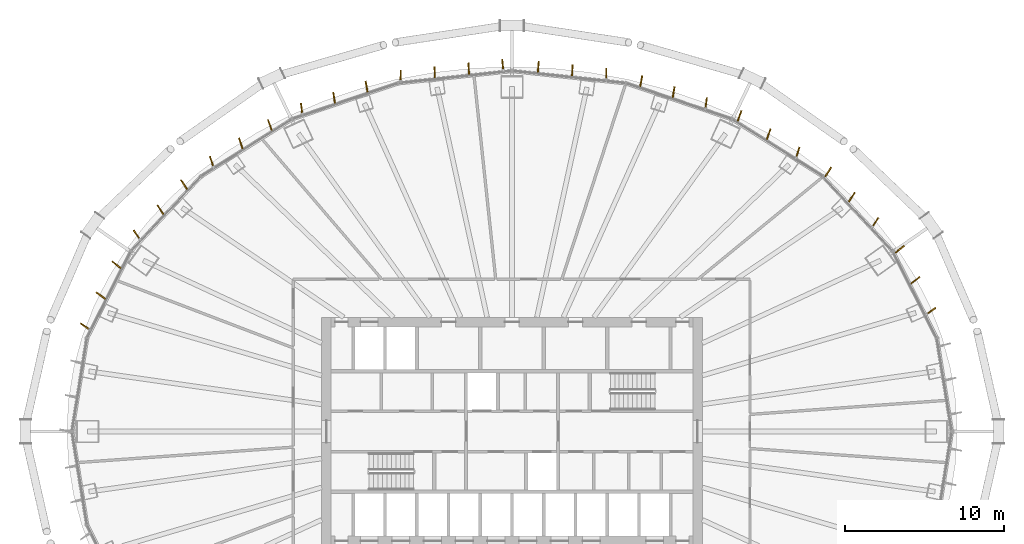
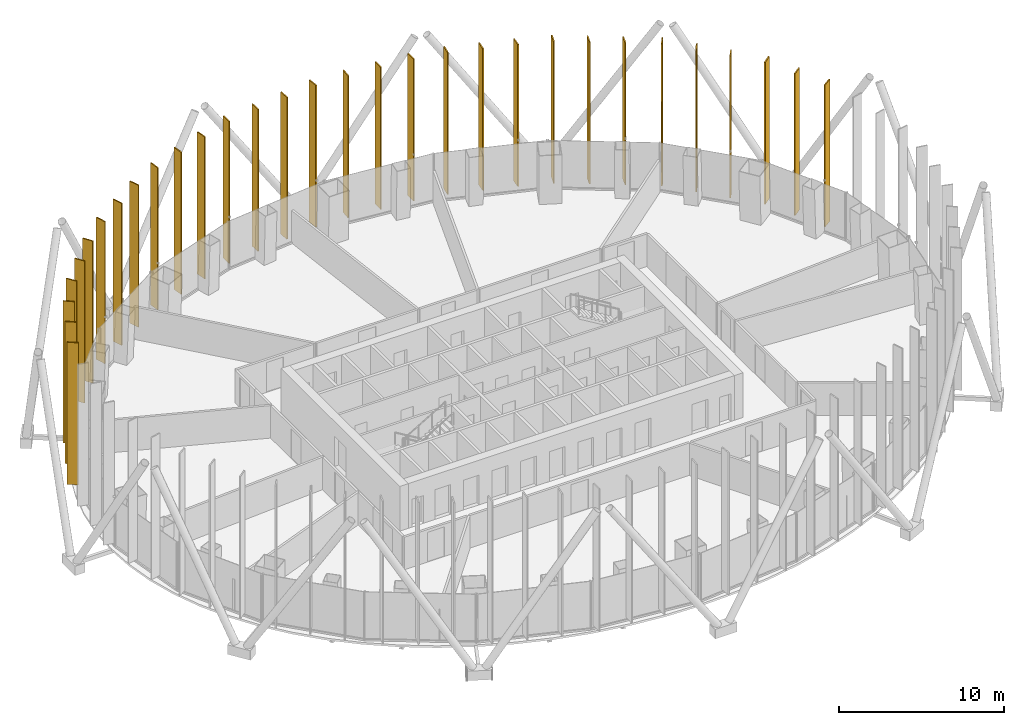
# One storey, part 22 of 22: 31 shading devices.
"""IFC4 building model written with IfcOpenShell, lengths in metres."""

from ifc_helpers import new_model, si_unit, direction, frame, origin, origin_2d, place, context, subcontext, project, spatial, rectangle, extrude, material, layer, layer_set, type_object, element, save


model = new_model("IFC4")

# Units and contexts
model_context = context("Model", 3, precision=1e-05, world=origin(), true_north=direction((0.0, 1.0)))
body_context = subcontext(model_context, "Body", "Model", "MODEL_VIEW")
ifc_project = project(units=[si_unit("LENGTHUNIT", "METRE"), si_unit("AREAUNIT", "SQUARE_METRE"), si_unit("VOLUMEUNIT", "CUBIC_METRE"), si_unit("PLANEANGLEUNIT", "RADIAN"), si_unit("MASSUNIT", "GRAM", prefix="KILO")], contexts=[model_context])

# Site, building, storey
site_placement = place(None, origin())
site = spatial("IfcSite", under=ifc_project, at=site_placement, CompositionType="ELEMENT")
building_placement = place(site_placement, origin())
building = spatial("IfcBuilding", under=site, at=building_placement, Name="Siaravel Broadcast Tower", CompositionType="ELEMENT")
storey_placement = place(building_placement, frame((0.0, 0.0, 48.199951171875)))
storey = spatial("IfcBuildingStorey", under=building, at=storey_placement, Name="L10", CompositionType="ELEMENT", Elevation=48.199951171875)

# Shading devices
ifc_material = material(Name="Bronze anodised aluminium", Category="aluminium")
ifc_layer = layer(ifc_material, 0.080078125)
ifc_layer_set = layer_set([ifc_layer], Name="Bronze anodised aluminium")
shading_device_type = type_object("IfcShadingDeviceType", Name="Bronze fin zone 1", PredefinedType="USERDEFINED", material=ifc_layer_set)
for number, where, z_axis, x_axis, name in (
    (1, (26.419921875, 7.592529296875, 0.300048828125), (0.0, 0.0, 1.0), (0.814694845, 0.579889912, 0.0), "Bronze fin L10-04"),
    (2, (25.43359375, 9.538818359375, 0.300048828125), (0.0, 0.0, 1.0), (0.795108448, 0.606467276, 0.0), "Bronze fin L10-05"),
    (3, (24.4482421875, 11.483154296875, 0.300048828125), (0.0, 0.0, 1.0), (0.77872735, 0.627362506, 0.0), "Bronze fin L10-06"),
    (4, (22.90869140625, 13.18798828125, 0.300048828125), (0.0, 0.0, 1.0), (0.555856084, 0.831278542, 0.0), "Bronze fin L10-07"),
    (5, (21.42138671875, 14.7744140625, 0.300048828125), (0.0, 0.0, 1.0), (0.546167754, 0.837675823, 0.0), "Bronze fin L10-08"),
    (6, (19.936279296875, 16.359375, 0.300048828125), (0.0, 0.0, 1.0), (0.542740615, 0.839900366, 0.0), "Bronze fin L10-09"),
    (7, (18.015869140625, 17.588623046875, 0.300048828125), (0.0, 0.0, 1.0), (0.314482904, 0.949263137, 0.0), "Bronze fin L10-10"),
    (8, (16.181396484375, 18.742431640625, 0.300048828125), (0.0, 0.0, 1.0), (0.323895952, 0.946092708, 0.0), "Bronze fin L10-11"),
    (9, (14.34912109375, 19.895751953125, 0.300048828125), (0.0, 0.0, 1.0), (0.33933231, 0.940666563, 0.0), "Bronze fin L10-12"),
    (10, (12.23828125, 20.69921875, 0.300048828125), (0.0, 0.0, 1.0), (0.133213017, 0.991087429, 0.0), "Bronze fin L10-13"),
    (11, (10.19189453125, 21.395263671875, 0.300048828125), (0.0, 0.0, 1.0), (0.159455622, 0.987205098, 0.0), "Bronze fin L10-14"),
    (12, (8.14697265625, 22.0908203125, 0.300048828125), (0.0, 0.0, 1.0), (0.189775793, 0.981827454, 0.0), "Bronze fin L10-15"),
    (13, (5.947021484375, 22.531982421875, 0.300048828125), (0.0, 0.0, 1.0), (0.004825817, 0.999988356, 0.0), "Bronze fin L10-16"),
    (14, (3.801513671875, 22.764404296875, 0.300048828125), (0.0, 0.0, 1.0), (0.040951423, 0.999161139, 0.0), "Bronze fin L10-17"),
    (15, (1.656494140625, 22.996337890625, 0.300048828125), (0.0, 0.0, 1.0), (0.078709646, 0.996897583, 0.0), "Bronze fin L10-18"),
    (16, (-0.584228515625, 23.1123046875, 0.300048828125), (0.0, 0.0, 1.0), (-0.097742702, 0.995211718, 0.0), "Bronze fin L10-19"),
    (17, (-2.72900390625, 22.880615234375, 0.300048828125), (0.0, 0.0, 1.0), (-0.059717541, 0.998215315, 0.0), "Bronze fin L10-20"),
    (18, (-4.8740234375, 22.648193359375, 0.300048828125), (0.0, 0.0, 1.0), (-0.022594855, 0.999744704, 0.0), "Bronze fin L10-21"),
    (19, (-7.02001953125, 22.415771484375, 0.300048828125), (0.0, 0.0, 1.0), (0.012194313, 0.999925647, 0.0), "Bronze fin L10-22"),
    (20, (-9.169189453125, 21.7431640625, 0.300048828125), (0.0, 0.0, 1.0), (-0.17418614, 0.984712744, 0.0), "Bronze fin L10-23"),
    (21, (-11.21484375, 21.04736328125, 0.300048828125), (0.0, 0.0, 1.0), (-0.145751512, 0.98932123, 0.0), "Bronze fin L10-24"),
    (22, (-13.261962890625, 20.35107421875, 0.300048828125), (0.0, 0.0, 1.0), (-0.121959424, 0.992535087, 0.0), "Bronze fin L10-25"),
    (23, (-15.264892578125, 19.319091796875, 0.300048828125), (0.0, 0.0, 1.0), (-0.330909702, 0.943662423, 0.0), "Bronze fin L10-26"),
    (24, (-17.098388671875, 18.16552734375, 0.300048828125), (0.0, 0.0, 1.0), (-0.318396836, 0.947957517, 0.0), "Bronze fin L10-27"),
    (25, (-18.933837890625, 17.01123046875, 0.300048828125), (0.0, 0.0, 1.0), (-0.312192326, 0.950018922, 0.0), "Bronze fin L10-28"),
    (26, (-20.6787109375, 15.56689453125, 0.300048828125), (0.0, 0.0, 1.0), (-0.543659411, 0.83930593, 0.0), "Bronze fin L10-29"),
    (27, (-22.164794921875, 13.9814453125, 0.300048828125), (0.0, 0.0, 1.0), (-0.550251957, 0.834998673, 0.0), "Bronze fin L10-30"),
    (28, (-23.653076171875, 12.394287109375, 0.300048828125), (0.0, 0.0, 1.0), (-0.562882829, 0.826536702, 0.0), "Bronze fin L10-31"),
    (29, (-24.94091796875, 10.51123046875, 0.300048828125), (0.0, 0.0, 1.0), (-0.786436146, 0.617671586, 0.0), "Bronze fin L10-32"),
    (30, (-25.926513671875, 8.56591796875, 0.300048828125), (0.0, 0.0, 1.0), (-0.804588156, 0.593833225, 0.0), "Bronze fin L10-33"),
    (31, (-26.913330078125, 6.61865234375, 0.300048828125), (0.0, 0.0, 1.0), (-0.825232792, 0.564792739, 0.0), "Bronze fin L10-34"),
):
    element("IfcShadingDevice", number, at=place(storey_placement, frame(where, z_axis=z_axis, x_axis=x_axis)), inside=storey, type_object=shading_device_type, Name=name, ObjectType="FIN", PredefinedType="USERDEFINED", context=body_context, shape_type="SweptSolid", body=[
        extrude(rectangle(XDim=0.699951171875, YDim=0.080078125, at=origin_2d()), origin(), (0.0, 0.0, 1.0), 10.5),
    ])

save(model, "model.ifc")
